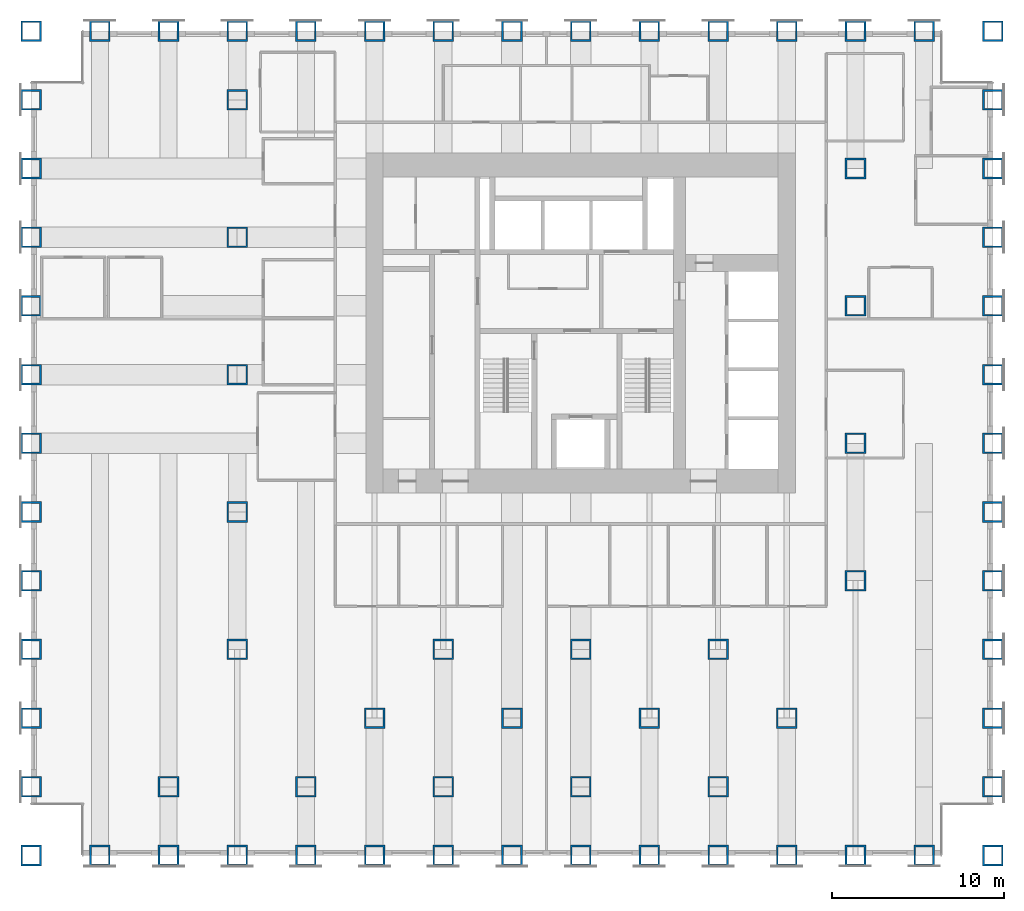
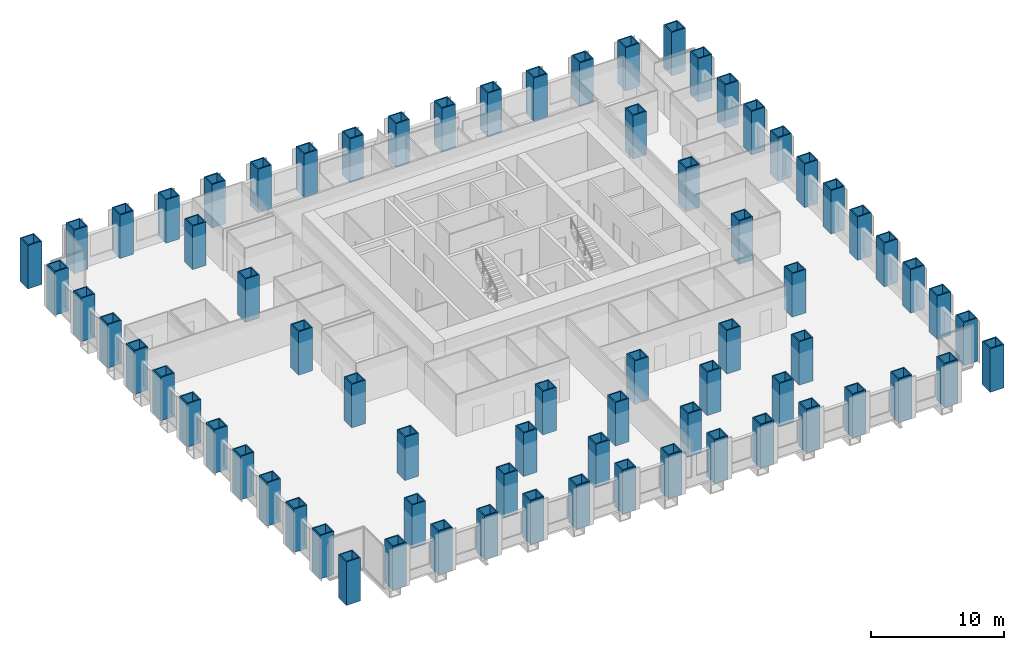
# One storey, part 1 of 14: 73 columns.
"""IFC4 building model written with IfcOpenShell, lengths in metres."""

from ifc_helpers import new_model, si_unit, direction, frame, origin, origin_2d, place, context, subcontext, project, spatial, hollow_rectangle, extrude, material, material_profile, profile_set, type_object, element, save


model = new_model("IFC4")

# Units and contexts
model_context = context("Model", 3, precision=1e-05, world=origin(), true_north=direction((0.0, 1.0)))
body_context = subcontext(model_context, "Body", "Model", "MODEL_VIEW")
ifc_project = project(units=[si_unit("LENGTHUNIT", "METRE"), si_unit("AREAUNIT", "SQUARE_METRE"), si_unit("VOLUMEUNIT", "CUBIC_METRE"), si_unit("PLANEANGLEUNIT", "RADIAN"), si_unit("MASSUNIT", "GRAM", prefix="KILO")], contexts=[model_context])

# Site, building, storey
site_placement = place(None, origin())
site = spatial("IfcSite", under=ifc_project, at=site_placement, CompositionType="ELEMENT")
building_placement = place(site_placement, origin())
building = spatial("IfcBuilding", under=site, at=building_placement, Name="Rimbunsela Tower", CompositionType="ELEMENT")
storey_placement = place(building_placement, frame((0.0, 0.0, 15.0)))
storey = spatial("IfcBuildingStorey", under=building, at=storey_placement, Name="L03", CompositionType="ELEMENT", Elevation=15.0)

# Columns
ifc_material = material(Name="Steel BJ 55 (fy 410 MPa)", Category="steel")
ifc_material_profile = material_profile(ifc_material, hollow_rectangle(XDim=1.199951171875, YDim=1.199951171875, WallThickness=0.10009765625, at=origin_2d()), Name="BOX 1200x1200x100")
ifc_profile_set = profile_set([ifc_material_profile], Name="Steel BJ 55 (fy 410 MPa)")
column_type = type_object("IfcColumnType", Name="Column BOX 1200x1200x100", PredefinedType="COLUMN", material=ifc_profile_set)
for number, where, z_axis, x_axis, name in (
    (1, (-2.0, -4.0, 0.0), (0.0, 0.0, 1.0), (1.0, 0.0, 0.0), "Column C7 2/A L03"),
    (2, (-2.0, 0.0, 0.0), (0.0, 0.0, 1.0), (1.0, 0.0, 0.0), "Column C7 2/B L03"),
    (3, (-2.0, 4.0, 0.0), (0.0, 0.0, 1.0), (1.0, 0.0, 0.0), "Column C7 2/C L03"),
    (4, (-2.0, 8.0, 0.0), (0.0, 0.0, 1.0), (1.0, 0.0, 0.0), "Column C7 2/D L03"),
    (5, (-2.0, 12.0, 0.0), (0.0, 0.0, 1.0), (1.0, 0.0, 0.0), "Column C7 2/E L03"),
    (6, (-2.0, 16.0, 0.0), (0.0, 0.0, 1.0), (1.0, 0.0, 0.0), "Column C7 2/F L03"),
    (7, (-2.0, 20.0, 0.0), (0.0, 0.0, 1.0), (1.0, 0.0, 0.0), "Column C7 2/G L03"),
    (8, (-2.0, 24.0, 0.0), (0.0, 0.0, 1.0), (1.0, 0.0, 0.0), "Column C7 2/H L03"),
    (9, (-2.0, 28.0, 0.0), (0.0, 0.0, 1.0), (1.0, 0.0, 0.0), "Column C7 2/J L03"),
    (10, (-2.0, 32.0, 0.0), (0.0, 0.0, 1.0), (1.0, 0.0, 0.0), "Column C7 2/K L03"),
    (11, (-2.0, 36.0, 0.0), (0.0, 0.0, 1.0), (1.0, 0.0, 0.0), "Column C7 2/L L03"),
    (12, (-2.0, 40.0, 0.0), (0.0, 0.0, 1.0), (1.0, 0.0, 0.0), "Column C7 2/M L03"),
    (13, (-2.0, 44.0, 0.0), (0.0, 0.0, 1.0), (1.0, 0.0, 0.0), "Column C7 2/N L03"),
    (14, (2.0, -4.0, 0.0), (0.0, 0.0, 1.0), (1.0, 0.0, 0.0), "Column C7 3/A L03"),
    (15, (2.0, 44.0, 0.0), (0.0, 0.0, 1.0), (1.0, 0.0, 0.0), "Column C7 3/N L03"),
    (16, (6.0, -4.0, 0.0), (0.0, 0.0, 1.0), (1.0, 0.0, 0.0), "Column C7 4/A L03"),
    (17, (6.0, 44.0, 0.0), (0.0, 0.0, 1.0), (1.0, 0.0, 0.0), "Column C7 4/N L03"),
    (18, (10.0, -4.0, 0.0), (0.0, 0.0, 1.0), (1.0, 0.0, 0.0), "Column C7 5/A L03"),
    (19, (10.0, 44.0, 0.0), (0.0, 0.0, 1.0), (1.0, 0.0, 0.0), "Column C7 5/N L03"),
    (20, (14.0, -4.0, 0.0), (0.0, 0.0, 1.0), (1.0, 0.0, 0.0), "Column C7 6/A L03"),
    (21, (14.0, 44.0, 0.0), (0.0, 0.0, 1.0), (1.0, 0.0, 0.0), "Column C7 6/N L03"),
    (22, (18.0, -4.0, 0.0), (0.0, 0.0, 1.0), (1.0, 0.0, 0.0), "Column C7 7/A L03"),
    (23, (18.0, 44.0, 0.0), (0.0, 0.0, 1.0), (1.0, 0.0, 0.0), "Column C7 7/N L03"),
    (24, (22.0, -4.0, 0.0), (0.0, 0.0, 1.0), (1.0, 0.0, 0.0), "Column C7 8/A L03"),
    (25, (22.0, 44.0, 0.0), (0.0, 0.0, 1.0), (1.0, 0.0, 0.0), "Column C7 8/N L03"),
    (26, (26.0, -4.0, 0.0), (0.0, 0.0, 1.0), (1.0, 0.0, 0.0), "Column C7 9/A L03"),
    (27, (26.0, 44.0, 0.0), (0.0, 0.0, 1.0), (1.0, 0.0, 0.0), "Column C7 9/N L03"),
    (28, (30.0, -4.0, 0.0), (0.0, 0.0, 1.0), (1.0, 0.0, 0.0), "Column C7 10/A L03"),
    (29, (30.0, 44.0, 0.0), (0.0, 0.0, 1.0), (1.0, 0.0, 0.0), "Column C7 10/N L03"),
    (30, (34.0, -4.0, 0.0), (0.0, 0.0, 1.0), (1.0, 0.0, 0.0), "Column C7 11/A L03"),
    (31, (34.0, 44.0, 0.0), (0.0, 0.0, 1.0), (1.0, 0.0, 0.0), "Column C7 11/N L03"),
    (32, (38.0, -4.0, 0.0), (0.0, 0.0, 1.0), (1.0, 0.0, 0.0), "Column C7 12/A L03"),
    (33, (38.0, 44.0, 0.0), (0.0, 0.0, 1.0), (1.0, 0.0, 0.0), "Column C7 12/N L03"),
    (34, (42.0, -4.0, 0.0), (0.0, 0.0, 1.0), (1.0, 0.0, 0.0), "Column C7 13/A L03"),
    (35, (42.0, 44.0, 0.0), (0.0, 0.0, 1.0), (1.0, 0.0, 0.0), "Column C7 13/N L03"),
    (36, (46.0, -4.0, 0.0), (0.0, 0.0, 1.0), (1.0, 0.0, 0.0), "Column C7 14/A L03"),
    (37, (46.0, 44.0, 0.0), (0.0, 0.0, 1.0), (1.0, 0.0, 0.0), "Column C7 14/N L03"),
    (38, (50.0, -4.0, 0.0), (0.0, 0.0, 1.0), (1.0, 0.0, 0.0), "Column C7 15/A L03"),
    (39, (50.0, 44.0, 0.0), (0.0, 0.0, 1.0), (1.0, 0.0, 0.0), "Column C7 15/N L03"),
    (40, (54.0, -4.0, 0.0), (0.0, 0.0, 1.0), (1.0, 0.0, 0.0), "Column C7 16/A L03"),
    (41, (54.0, 0.0, 0.0), (0.0, 0.0, 1.0), (1.0, 0.0, 0.0), "Column C7 16/B L03"),
    (42, (54.0, 4.0, 0.0), (0.0, 0.0, 1.0), (1.0, 0.0, 0.0), "Column C7 16/C L03"),
    (43, (54.0, 8.0, 0.0), (0.0, 0.0, 1.0), (1.0, 0.0, 0.0), "Column C7 16/D L03"),
    (44, (54.0, 12.0, 0.0), (0.0, 0.0, 1.0), (1.0, 0.0, 0.0), "Column C7 16/E L03"),
    (45, (54.0, 16.0, 0.0), (0.0, 0.0, 1.0), (1.0, 0.0, 0.0), "Column C7 16/F L03"),
    (46, (54.0, 20.0, 0.0), (0.0, 0.0, 1.0), (1.0, 0.0, 0.0), "Column C7 16/G L03"),
    (47, (54.0, 24.0, 0.0), (0.0, 0.0, 1.0), (1.0, 0.0, 0.0), "Column C7 16/H L03"),
    (48, (54.0, 28.0, 0.0), (0.0, 0.0, 1.0), (1.0, 0.0, 0.0), "Column C7 16/J L03"),
    (49, (54.0, 32.0, 0.0), (0.0, 0.0, 1.0), (1.0, 0.0, 0.0), "Column C7 16/K L03"),
    (50, (54.0, 36.0, 0.0), (0.0, 0.0, 1.0), (1.0, 0.0, 0.0), "Column C7 16/L L03"),
    (51, (54.0, 40.0, 0.0), (0.0, 0.0, 1.0), (1.0, 0.0, 0.0), "Column C7 16/M L03"),
    (52, (54.0, 44.0, 0.0), (0.0, 0.0, 1.0), (1.0, 0.0, 0.0), "Column C7 16/N L03"),
    (53, (6.0, 0.0, 0.0), (0.0, 0.0, 1.0), (1.0, 0.0, 0.0), "Column C7 4/B L03"),
    (54, (10.0, 8.0, 0.0), (0.0, 0.0, 1.0), (1.0, 0.0, 0.0), "Column C7 5/D L03"),
    (55, (10.0, 16.0, 0.0), (0.0, 0.0, 1.0), (1.0, 0.0, 0.0), "Column C7 5/F L03"),
    (56, (10.0, 24.0, 0.0), (0.0, 0.0, 1.0), (1.0, 0.0, 0.0), "Column C7 5/H L03"),
    (57, (10.0, 32.0, 0.0), (0.0, 0.0, 1.0), (1.0, 0.0, 0.0), "Column C7 5/K L03"),
    (58, (10.0, 40.0, 0.0), (0.0, 0.0, 1.0), (1.0, 0.0, 0.0), "Column C7 5/M L03"),
    (59, (14.0, 0.0, 0.0), (0.0, 0.0, 1.0), (1.0, 0.0, 0.0), "Column C7 6/B L03"),
    (60, (18.0, 4.0, 0.0), (0.0, 0.0, 1.0), (1.0, 0.0, 0.0), "Column C7 7/C L03"),
    (61, (22.0, 0.0, 0.0), (0.0, 0.0, 1.0), (1.0, 0.0, 0.0), "Column C7 8/B L03"),
    (62, (22.0, 8.0, 0.0), (0.0, 0.0, 1.0), (1.0, 0.0, 0.0), "Column C7 8/D L03"),
    (63, (26.0, 4.0, 0.0), (0.0, 0.0, 1.0), (1.0, 0.0, 0.0), "Column C7 9/C L03"),
    (64, (30.0, 0.0, 0.0), (0.0, 0.0, 1.0), (1.0, 0.0, 0.0), "Column C7 10/B L03"),
    (65, (30.0, 8.0, 0.0), (0.0, 0.0, 1.0), (1.0, 0.0, 0.0), "Column C7 10/D L03"),
    (66, (34.0, 4.0, 0.0), (0.0, 0.0, 1.0), (1.0, 0.0, 0.0), "Column C7 11/C L03"),
    (67, (38.0, 0.0, 0.0), (0.0, 0.0, 1.0), (1.0, 0.0, 0.0), "Column C7 12/B L03"),
    (68, (38.0, 8.0, 0.0), (0.0, 0.0, 1.0), (1.0, 0.0, 0.0), "Column C7 12/D L03"),
    (69, (42.0, 4.0, 0.0), (0.0, 0.0, 1.0), (1.0, 0.0, 0.0), "Column C7 13/C L03"),
    (70, (46.0, 12.0, 0.0), (0.0, 0.0, 1.0), (1.0, 0.0, 0.0), "Column C7 14/E L03"),
    (71, (46.0, 20.0, 0.0), (0.0, 0.0, 1.0), (1.0, 0.0, 0.0), "Column C7 14/G L03"),
    (72, (46.0, 28.0, 0.0), (0.0, 0.0, 1.0), (1.0, 0.0, 0.0), "Column C7 14/J L03"),
    (73, (46.0, 36.0, 0.0), (0.0, 0.0, 1.0), (1.0, 0.0, 0.0), "Column C7 14/L L03"),
):
    element("IfcColumn", number, at=place(storey_placement, frame(where, z_axis=z_axis, x_axis=x_axis)), inside=storey, type_object=column_type, Name=name, PredefinedType="COLUMN", context=body_context, shape_type="SweptSolid", body=[
        extrude(hollow_rectangle(XDim=1.199951171875, YDim=1.199951171875, WallThickness=0.10009765625, at=origin_2d()), origin(), (0.0, 0.0, 1.0), 4.0),
    ])

save(model, "model.ifc")
